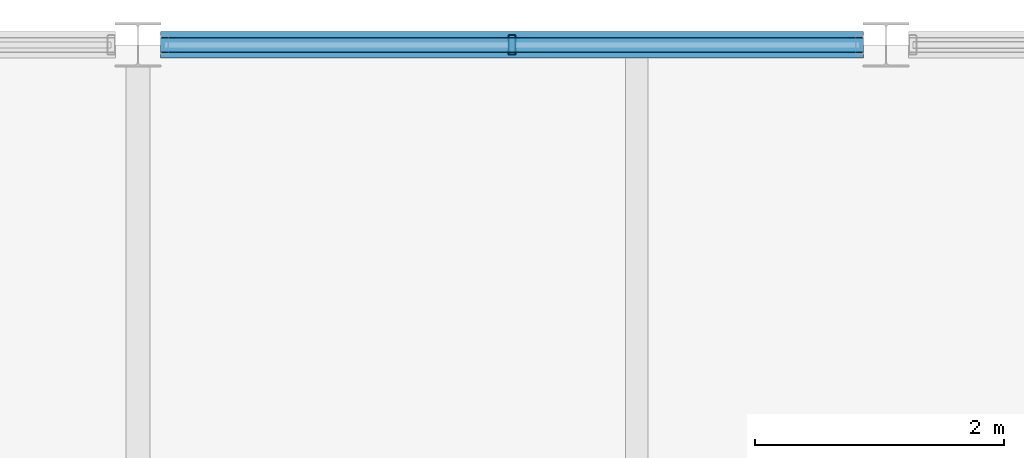
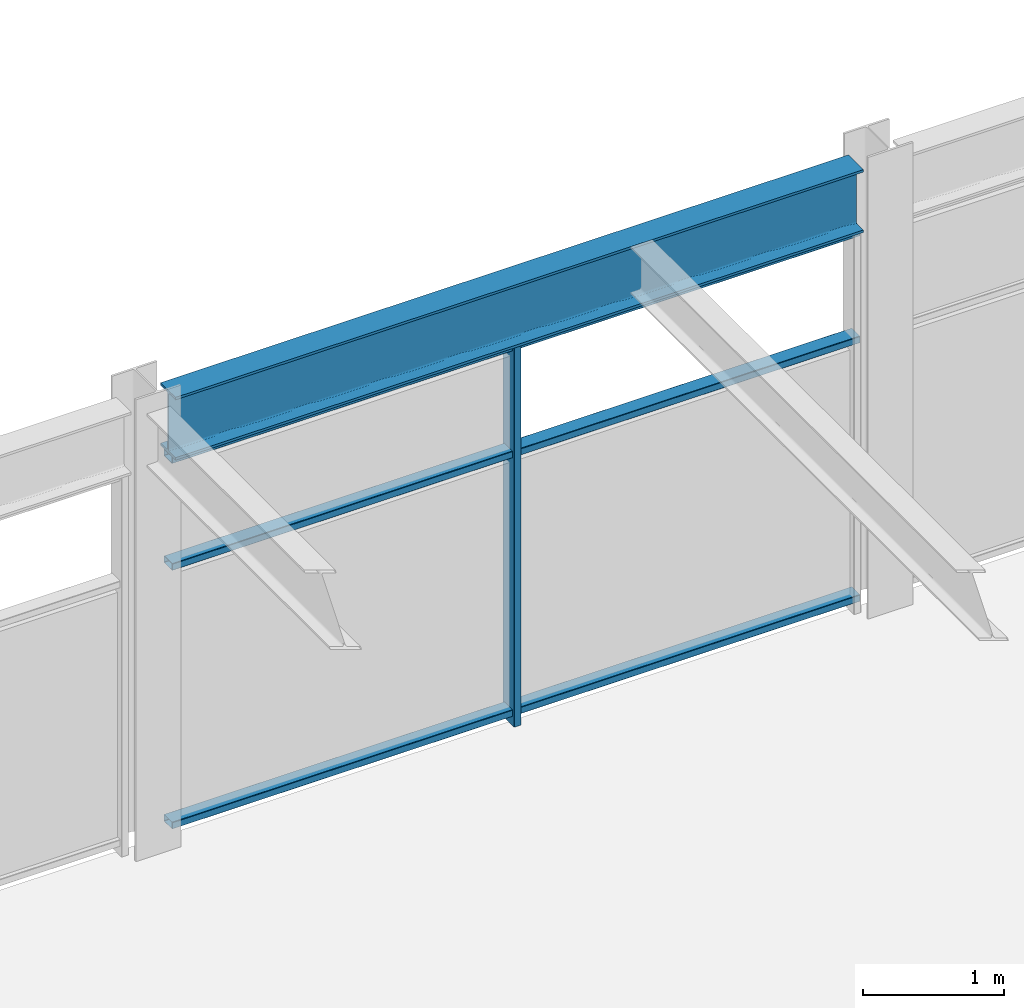
# One storey, part 24 of 40: 4 members, 1 beam, 1 element without a shape of its own.
"""IFC4 building model written with IfcOpenShell, lengths in metres."""

from ifc_helpers import new_model, si_unit, direction, frame, origin, origin_2d, place, context, subcontext, project, spatial, hollow_rectangle, i_section, extrude, material, material_profile, profile_set, type_object, element, aggregate, save


model = new_model("IFC4")

# Units and contexts
model_context = context("Model", 3, precision=1e-05, world=origin(), true_north=direction((0.0, 1.0)))
body_context = subcontext(model_context, "Body", "Model", "MODEL_VIEW")
ifc_project = project(units=[si_unit("LENGTHUNIT", "METRE"), si_unit("AREAUNIT", "SQUARE_METRE"), si_unit("VOLUMEUNIT", "CUBIC_METRE"), si_unit("PLANEANGLEUNIT", "RADIAN"), si_unit("MASSUNIT", "GRAM", prefix="KILO")], contexts=[model_context])

# Site, building, storey
site_placement = place(None, origin())
site = spatial("IfcSite", under=ifc_project, at=site_placement, CompositionType="ELEMENT")
building_placement = place(site_placement, origin())
building = spatial("IfcBuilding", under=site, at=building_placement, Name="Girod Span Mobility Hub", CompositionType="ELEMENT")
storey_placement = place(building_placement, frame((0.0, 0.0, 57.60009765625)))
storey = spatial("IfcBuildingStorey", under=building, at=storey_placement, Name="L14", CompositionType="ELEMENT", Elevation=57.60009765625)

# Beam
ifc_material_1 = material(Name="Steel A992 Grade 50", Category="steel")
ifc_material_profile_1 = material_profile(ifc_material_1, i_section(OverallWidth=0.2119140625, OverallDepth=0.5439453125, WebThickness=0.01318359375, FlangeThickness=0.021240234375, FilletRadius=0.014892578125, at=origin_2d()), Name="W21X83")
ifc_profile_set_1 = profile_set([ifc_material_profile_1], Name="Steel A992 Grade 50")
beam_type = type_object("IfcBeamType", Name="BM-STL-W21X83", PredefinedType="SPANDREL", material=ifc_profile_set_1)
beam_placement = place(storey_placement, frame((96.181396484375, 69.0, 3.577880859375), z_axis=(1.0, 0.0, 0.0), x_axis=(0.0, 1.0, 0.0)))
element("IfcBeam", 1, at=beam_placement, inside=storey, type_object=beam_type, Name="Spandrel Beam 9-10/F-W L14", PredefinedType="SPANDREL", context=body_context, shape_type="SweptSolid", body=[
    extrude(i_section(OverallWidth=0.2119140625, OverallDepth=0.5439453125, WebThickness=0.01318359375, FlangeThickness=0.021240234375, FilletRadius=0.014892578125, at=origin_2d()), origin(), (0.0, 0.0, 1.0), 5.63720703125),
])

# Curtain wall, members
ifc_material_2 = material(Name="Thermally Broken Anodised Aluminium", Category="aluminium")
curtain_wall_type = type_object("IfcCurtainWallType", Name="CW-564X331", PredefinedType="USERDEFINED", material=ifc_material_2)
curtain_wall_placement = place(storey_placement, origin())
curtain_wall = element("IfcCurtainWall", 2, at=curtain_wall_placement, inside=storey, type_object=curtain_wall_type, Name="Unitised Curtain Wall CW-L14-N09W L14", ObjectType="UNITISED CURTAIN WALL", PredefinedType="USERDEFINED")
ifc_material_3 = material(Name="Thermally Broken Anodised Aluminium", Category="aluminium")
ifc_material_profile_2 = material_profile(ifc_material_3, hollow_rectangle(XDim=0.159912109375, YDim=0.06005859375, WallThickness=0.00341796875, InnerFilletRadius=0.00341796875, OuterFilletRadius=0.007080078125, at=origin_2d()), Name="CW-ML-60X160")
ifc_profile_set_2 = profile_set([ifc_material_profile_2], Name="Thermally Broken Anodised Aluminium")
member_type_1 = type_object("IfcMemberType", Name="CWM-ML-3", PredefinedType="MULLION", material=ifc_profile_set_2)
member_1_placement = place(storey_placement, frame((99.0, 69.0, 0.0), z_axis=(0.0, 0.0, 1.0), x_axis=(0.0, 1.0, 0.0)))
member_1 = element("IfcMember", 3, at=member_1_placement, type_object=member_type_1, Name="Curtain Wall Mullion CW-L14-N09W-M1", PredefinedType="MULLION", context=body_context, shape_type="SweptSolid", body=[
    extrude(hollow_rectangle(XDim=0.159912109375, YDim=0.06005859375, WallThickness=0.00341796875, InnerFilletRadius=0.00341796875, OuterFilletRadius=0.007080078125, at=origin_2d()), origin(), (0.0, 0.0, 1.0), 3.305908203125),
])
ifc_material_4 = material(Name="Thermally Broken Anodised Aluminium", Category="aluminium")
ifc_material_profile_3 = material_profile(ifc_material_4, hollow_rectangle(XDim=0.1201171875, YDim=0.06005859375, WallThickness=0.00341796875, InnerFilletRadius=0.00341796875, OuterFilletRadius=0.007080078125, at=origin_2d()), Name="CW-TR-60X120")
ifc_profile_set_3 = profile_set([ifc_material_profile_3], Name="Thermally Broken Anodised Aluminium")
member_type_2 = type_object("IfcMemberType", Name="CWM-TR-3", PredefinedType="USERDEFINED", material=ifc_profile_set_3)
member_2_placement = place(storey_placement, frame((96.1826171875, 69.0, 0.10986328125), z_axis=(1.0, 0.0, 0.0), x_axis=(0.0, 1.0, 0.0)))
member_2 = element("IfcMember", 4, at=member_2_placement, type_object=member_type_2, Name="Curtain Wall Transom CW-L14-N09W-T1", ObjectType="TRANSOM", PredefinedType="USERDEFINED", context=body_context, shape_type="SweptSolid", body=[
    extrude(hollow_rectangle(XDim=0.1201171875, YDim=0.06005859375, WallThickness=0.00341796875, InnerFilletRadius=0.00341796875, OuterFilletRadius=0.007080078125, at=origin_2d()), origin(), (0.0, 0.0, 1.0), 5.634765625),
])
member_3_placement = place(storey_placement, frame((96.1826171875, 69.0, 2.35009765625), z_axis=(1.0, 0.0, 0.0), x_axis=(0.0, 1.0, 0.0)))
member_3 = element("IfcMember", 5, at=member_3_placement, type_object=member_type_2, Name="Curtain Wall Transom CW-L14-N09W-T2", ObjectType="TRANSOM", PredefinedType="USERDEFINED", context=body_context, shape_type="SweptSolid", body=[
    extrude(hollow_rectangle(XDim=0.1201171875, YDim=0.06005859375, WallThickness=0.00341796875, InnerFilletRadius=0.00341796875, OuterFilletRadius=0.007080078125, at=origin_2d()), origin(), (0.0, 0.0, 1.0), 5.634765625),
])
member_4_placement = place(storey_placement, frame((96.1826171875, 69.0, 3.27587890625), z_axis=(1.0, 0.0, 0.0), x_axis=(0.0, 1.0, 0.0)))
member_4 = element("IfcMember", 6, at=member_4_placement, type_object=member_type_2, Name="Curtain Wall Transom CW-L14-N09W-T3", ObjectType="TRANSOM", PredefinedType="USERDEFINED", context=body_context, shape_type="SweptSolid", body=[
    extrude(hollow_rectangle(XDim=0.1201171875, YDim=0.06005859375, WallThickness=0.00341796875, InnerFilletRadius=0.00341796875, OuterFilletRadius=0.007080078125, at=origin_2d()), origin(), (0.0, 0.0, 1.0), 5.634765625),
])
aggregate(curtain_wall, [member_1, member_2, member_3, member_4])

save(model, "model.ifc")
